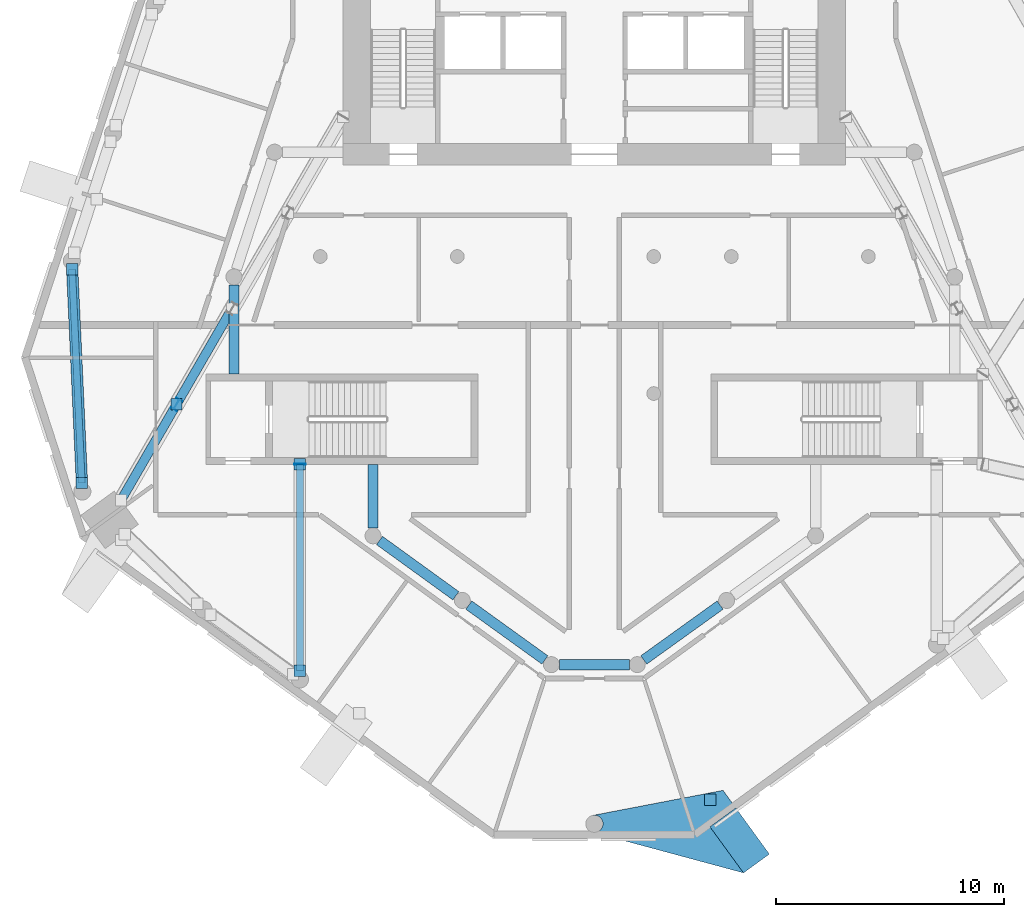
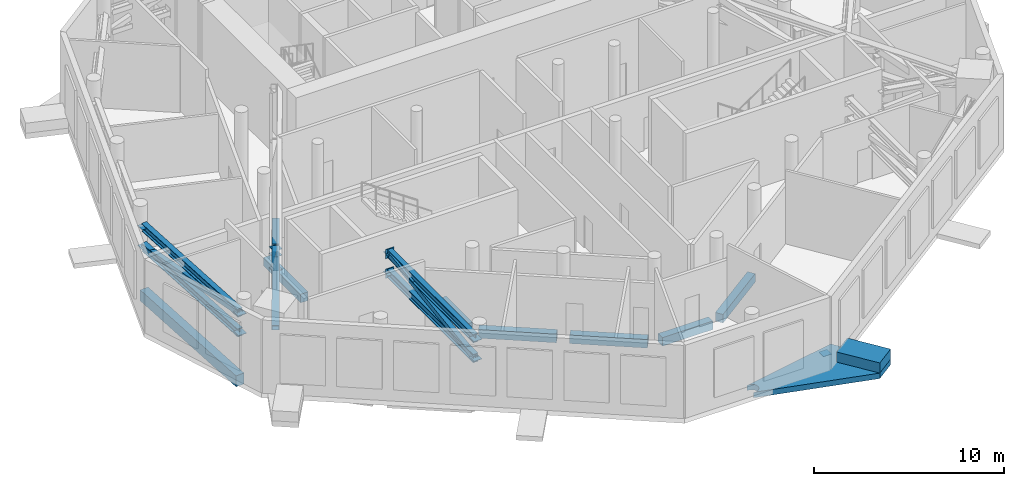
# One storey, part 2 of 17: 14 discrete accessories, 11 members, 7 beams.
"""IFC4 building model written with IfcOpenShell, lengths in metres."""

from ifc_helpers import new_model, si_unit, direction, frame, origin, origin_2d, place, context, subcontext, project, spatial, polyline, rectangle, hollow_rectangle, i_section, outline, extrude, material, layer, layer_set, material_profile, profile_set, type_object, element, aggregate, save


model = new_model("IFC4")

# Units and contexts
model_context = context("Model", 3, precision=1e-05, world=origin(), true_north=direction((0.0, 1.0)))
body_context = subcontext(model_context, "Body", "Model", "MODEL_VIEW")
ifc_project = project(units=[si_unit("LENGTHUNIT", "METRE"), si_unit("AREAUNIT", "SQUARE_METRE"), si_unit("VOLUMEUNIT", "CUBIC_METRE"), si_unit("PLANEANGLEUNIT", "RADIAN"), si_unit("MASSUNIT", "GRAM", prefix="KILO")], contexts=[model_context])

# Site, building, storey
site_placement = place(None, origin())
site = spatial("IfcSite", under=ifc_project, at=site_placement, CompositionType="ELEMENT")
building_placement = place(site_placement, origin())
building = spatial("IfcBuilding", under=site, at=building_placement, Name="White Candle Pilgrim Tower", CompositionType="ELEMENT")
storey_placement = place(building_placement, frame((0.0, 0.0, 191.5)))
storey = spatial("IfcBuildingStorey", under=building, at=storey_placement, Name="L44", CompositionType="ELEMENT", Elevation=191.5)

# Member
ifc_material_1 = material(Name="Steel S355", Category="steel")
ifc_material_profile_1 = material_profile(ifc_material_1, i_section(OverallWidth=0.305908203125, OverallDepth=0.52392578125, WebThickness=0.02099609375, FlangeThickness=0.0400390625, FilletRadius=0.027099609375, at=origin_2d()), Name="HEM 500")
ifc_profile_set_1 = profile_set([ifc_material_profile_1], Name="Steel S355")
member_type_1 = type_object("IfcMemberType", Name="Belt truss chord HEM 500 S355", PredefinedType="CHORD", material=ifc_profile_set_1)
member_1_placement = place(storey_placement, frame((57.110107421875, 48.85498046875, 2.412109375), z_axis=(0.0, 1.0, 0.0), x_axis=(1.0, 0.0, 0.0)))
member_1 = element("IfcMember", 1, at=member_1_placement, inside=storey, type_object=member_type_1, Name="L44 belt truss bottom chord 03", PredefinedType="CHORD", context=body_context, shape_type="SweptSolid", body=[
    extrude(i_section(OverallWidth=0.305908203125, OverallDepth=0.52392578125, WebThickness=0.02099609375, FlangeThickness=0.0400390625, FilletRadius=0.027099609375, at=origin_2d()), origin(), (0.0, 0.0, 1.0), 9.044921875),
])

member_2_placement = place(storey_placement, frame((57.110107421875, 48.85498046875, 3.677978515625), z_axis=(0.0, 1.0, 0.0), x_axis=(1.0, 0.0, 0.0)))
member_2 = element("IfcMember", 2, at=member_2_placement, inside=storey, type_object=member_type_1, Name="L44 belt truss top chord 03", PredefinedType="CHORD", context=body_context, shape_type="SweptSolid", body=[
    extrude(i_section(OverallWidth=0.305908203125, OverallDepth=0.52392578125, WebThickness=0.02099609375, FlangeThickness=0.0400390625, FilletRadius=0.027099609375, at=origin_2d()), origin(), (0.0, 0.0, 1.0), 9.044921875),
])

member_3_placement = place(storey_placement, frame((47.13720703125, 66.435546875, 2.412109375), z_axis=(0.045485743277, -0.998964987954, 0.0), x_axis=(0.997930984009, 0.045438662109, 0.045487131586)))
member_3 = element("IfcMember", 3, at=member_3_placement, inside=storey, type_object=member_type_1, Name="L44 belt truss bottom chord 15", PredefinedType="CHORD", context=body_context, shape_type="SweptSolid", body=[
    extrude(i_section(OverallWidth=0.305908203125, OverallDepth=0.52392578125, WebThickness=0.02099609375, FlangeThickness=0.0400390625, FilletRadius=0.027099609375, at=origin_2d()), origin(), (0.0, 0.0, 1.0), 9.36083984375),
])

member_4_placement = place(storey_placement, frame((47.13720703125, 66.435546875, 3.677978515625), z_axis=(0.045485743277, -0.998964987954, 0.0), x_axis=(0.997930984009, 0.045438662109, 0.045487131586)))
member_4 = element("IfcMember", 4, at=member_4_placement, inside=storey, type_object=member_type_1, Name="L44 belt truss top chord 15", PredefinedType="CHORD", context=body_context, shape_type="SweptSolid", body=[
    extrude(i_section(OverallWidth=0.305908203125, OverallDepth=0.52392578125, WebThickness=0.02099609375, FlangeThickness=0.0400390625, FilletRadius=0.027099609375, at=origin_2d()), origin(), (0.0, 0.0, 1.0), 9.36083984375),
])

# Members
ifc_material_profile_2 = material_profile(ifc_material_1, hollow_rectangle(XDim=0.300048828125, YDim=0.300048828125, WallThickness=0.01611328125, at=origin_2d()), Name="SHS 300x300x16")
ifc_profile_set_2 = profile_set([ifc_material_profile_2], Name="Steel S355")
member_type_2 = type_object("IfcMemberType", Name="Belt truss diagonal SHS 300x300x16 S355", PredefinedType="BRACE", material=ifc_profile_set_2)
member_5_placement = place(storey_placement, frame((57.110107421875, 48.85498046875, 2.412109375), z_axis=(0.0, 0.99034805885, 0.138602750085), x_axis=(-1.0, 0.0, 0.0)))
element("IfcMember", 5, at=member_5_placement, inside=storey, type_object=member_type_2, Name="L44 belt truss diagonal 03", PredefinedType="BRACE", context=body_context, shape_type="SweptSolid", body=[
    extrude(hollow_rectangle(XDim=0.300048828125, YDim=0.300048828125, WallThickness=0.01611328125, at=origin_2d()), origin(), (0.0, 0.0, 1.0), 9.133056640625),
])
member_6_placement = place(storey_placement, frame((47.13720703125, 66.435546875, 2.412109375), z_axis=(0.045075451158, -0.989954088455, 0.134011590743), x_axis=(0.998964987954, 0.045485743277, 0.0)))
element("IfcMember", 6, at=member_6_placement, inside=storey, type_object=member_type_2, Name="L44 belt truss diagonal 15", PredefinedType="BRACE", context=body_context, shape_type="SweptSolid", body=[
    extrude(hollow_rectangle(XDim=0.300048828125, YDim=0.300048828125, WallThickness=0.01611328125, at=origin_2d()), origin(), (0.0, 0.0, 1.0), 9.446044921875),
])

# Member
ifc_material_profile_3 = material_profile(ifc_material_1, hollow_rectangle(XDim=0.39990234375, YDim=0.39990234375, WallThickness=0.02001953125, at=origin_2d()), Name="SHS 400x400x20")
ifc_profile_set_3 = profile_set([ifc_material_profile_3], Name="Steel S355")
member_type_3 = type_object("IfcMemberType", Name="L44 outrigger 1 diagonal SHS 400x400x20 S355", PredefinedType="BRACE", material=ifc_profile_set_3)
member_7_placement = place(storey_placement, frame((54.13671875, 64.7236328125, 2.556884765625), z_axis=(-0.471717853032, -0.814897327235, 0.336785708123), x_axis=(0.865456129808, -0.500984717708, 0.0)))
member_7 = element("IfcMember", 7, at=member_7_placement, inside=storey, type_object=member_type_3, Name="L44 outrigger 1 diagonal 3", PredefinedType="BRACE", context=body_context, shape_type="SweptSolid", body=[
    extrude(hollow_rectangle(XDim=0.39990234375, YDim=0.39990234375, WallThickness=0.02001953125, at=origin_2d()), origin(), (0.0, 0.0, 1.0), 5.15478515625),
])

member_8_placement = place(storey_placement, frame((51.705078125, 60.52294921875, 4.29296875), z_axis=(-0.471754674314, -0.814879121198, -0.336778183822), x_axis=(0.865434320592, -0.501022391457, 0.0)))
element("IfcMember", 8, at=member_8_placement, inside=storey, type_object=member_type_3, Name="L44 outrigger 1 diagonal 4", PredefinedType="BRACE", context=body_context, shape_type="SweptSolid", body=[
    extrude(hollow_rectangle(XDim=0.39990234375, YDim=0.39990234375, WallThickness=0.02001953125, at=origin_2d()), origin(), (0.0, 0.0, 1.0), 5.155029296875),
])

ifc_material_profile_4 = material_profile(ifc_material_1, i_section(OverallWidth=0.300048828125, OverallDepth=0.5, WebThickness=0.014404296875, FlangeThickness=0.028076171875, FilletRadius=0.027099609375, at=origin_2d()), Name="HEB 500")
ifc_profile_set_4 = profile_set([ifc_material_profile_4], Name="Steel S355")
member_type_4 = type_object("IfcMemberType", Name="L44 outrigger 1 post HEB 500 S355", PredefinedType="POST", material=ifc_profile_set_4)
member_9_placement = place(storey_placement, frame((51.705078125, 60.52294921875, 2.964111328125), z_axis=(0.0, 0.0, 1.0), x_axis=(0.865453907481, -0.500988556782, 0.0)))
member_9 = element("IfcMember", 9, at=member_9_placement, inside=storey, type_object=member_type_4, Name="L44 outrigger 1 post 3", PredefinedType="POST", context=body_context, shape_type="SweptSolid", body=[
    extrude(i_section(OverallWidth=0.300048828125, OverallDepth=0.5, WebThickness=0.014404296875, FlangeThickness=0.028076171875, FilletRadius=0.027099609375, at=origin_2d()), origin(), (0.0, 0.0, 1.0), 0.921875),
])

ifc_material_2 = material(Name="Concrete C70/85, white", Category="concrete")
ifc_layer_1 = layer(ifc_material_2, 0.300048828125)
ifc_layer_set_1 = layer_set([ifc_layer_1], Name="Node tie strut 3450x1400x300 C70/85")
member_type_5 = type_object("IfcMemberType", Name="Node tie strut 3450x1400x300 C70/85", PredefinedType="STRUT", material=ifc_layer_set_1)
member_10_placement = place(storey_placement, frame((0.0, 0.0, -0.35009765625)))
member_10 = element("IfcMember", 10, at=member_10_placement, inside=storey, type_object=member_type_5, Name="Node tie strut NC145", PredefinedType="STRUT", context=body_context, shape_type="SweptSolid", body=[
    extrude(outline(polyline([(76.530517578125, 40.00927734375), (77.6630859375, 40.83203125), (75.63525390625, 43.623291015625), (69.9267578125, 42.52783203125), (69.951171875, 42.53173828125), (69.9755859375, 42.5341796875), (70.0, 42.534912109375), (70.0244140625, 42.5341796875), (70.048828125, 42.53173828125), (70.0732421875, 42.52783203125), (70.09716796875, 42.522216796875), (70.12060546875, 42.51513671875), (70.1435546875, 42.506591796875), (70.166015625, 42.496337890625), (70.1875, 42.48486328125), (70.208251953125, 42.4716796875), (70.228271484375, 42.45751953125), (70.247314453125, 42.44189453125), (70.26513671875, 42.42529296875), (70.281982421875, 42.4072265625), (70.297607421875, 42.38818359375), (70.311767578125, 42.368408203125), (70.32470703125, 42.347412109375), (70.336181640625, 42.325927734375), (70.346435546875, 42.303466796875), (70.35498046875, 42.280517578125), (70.3623046875, 42.257080078125), (70.367919921875, 42.233154296875), (70.371826171875, 42.208984375), (70.374267578125, 42.1845703125), (70.375, 42.159912109375), (70.374267578125, 42.135498046875), (70.371826171875, 42.111083984375), (70.367919921875, 42.0869140625), (70.3623046875, 42.06298828125), (70.35498046875, 42.03955078125), (70.346435546875, 42.0166015625), (70.336181640625, 41.994140625), (70.32470703125, 41.972412109375), (70.311767578125, 41.95166015625), (70.297607421875, 41.931640625), (70.281982421875, 41.91259765625), (70.26513671875, 41.894775390625), (70.247314453125, 41.878173828125), (70.228271484375, 41.862548828125), (70.208251953125, 41.84814453125), (70.1875, 41.835205078125), (70.166015625, 41.82373046875), (70.1435546875, 41.8134765625), (70.12060546875, 41.804931640625), (70.09716796875, 41.7978515625), (70.0732421875, 41.792236328125), (70.048828125, 41.7880859375), (70.0244140625, 41.785888671875), (70.0, 41.784912109375), (69.9755859375, 41.785888671875), (69.951171875, 41.7880859375), (69.9267578125, 41.792236328125), (69.90283203125, 41.7978515625), (76.530517578125, 40.00927734375)])), origin(), (0.0, 0.0, 1.0), 0.35009765625),
])

member_11_placement = place(storey_placement, origin())
element("IfcMember", 11, at=member_11_placement, inside=storey, type_object=member_type_5, Name="Node tie strut NC145", PredefinedType="STRUT", context=body_context, shape_type="SweptSolid", body=[
    extrude(outline(polyline([(76.530517578125, 40.00927734375), (77.6630859375, 40.83203125), (76.193603515625, 42.8544921875), (75.06103515625, 42.03173828125), (76.530517578125, 40.00927734375)])), origin(), (0.0, 0.0, 1.0), 0.64990234375),
])

# Beams
ifc_material_3 = material(Name="Concrete C50/60", Category="concrete")
ifc_material_profile_5 = material_profile(ifc_material_3, rectangle(XDim=0.449951171875, YDim=0.550048828125, at=origin_2d()), Name="RC-BM 450x550")
ifc_profile_set_5 = profile_set([ifc_material_profile_5], Name="Concrete C50/60")
beam_type_1 = type_object("IfcBeamType", Name="Ring beam RC-BM 450x550 C50/60", PredefinedType="BEAM", material=ifc_profile_set_5)
beam_1_placement = place(storey_placement, frame((60.593505859375, 54.56494140625, -0.574951171875), z_axis=(0.810043858436, -0.586369292691, 0.0), x_axis=(0.586369292691, 0.810043858436, 0.0)))
element("IfcBeam", 12, at=beam_1_placement, inside=storey, type_object=beam_type_1, Name="L44 ring beam R01", PredefinedType="BEAM", context=body_context, shape_type="SweptSolid", body=[
    extrude(rectangle(XDim=0.449951171875, YDim=0.550048828125, at=origin_2d()), origin(), (0.0, 0.0, 1.0), 4.126953125),
])
beam_2_placement = place(storey_placement, frame((64.50390625, 51.735595703125, -0.574951171875), z_axis=(0.811316688041, -0.584606903574, 0.0), x_axis=(0.584606903574, 0.811316688041, 0.0)))
element("IfcBeam", 13, at=beam_2_placement, inside=storey, type_object=beam_type_1, Name="L44 ring beam R02", PredefinedType="BEAM", context=body_context, shape_type="SweptSolid", body=[
    extrude(rectangle(XDim=0.449951171875, YDim=0.550048828125, at=origin_2d()), origin(), (0.0, 0.0, 1.0), 4.107177734375),
])
beam_3_placement = place(storey_placement, frame((68.469970703125, 49.1298828125, -0.574951171875), z_axis=(1.0, 0.0, 0.0), x_axis=(0.0, 1.0, 0.0)))
element("IfcBeam", 14, at=beam_3_placement, inside=storey, type_object=beam_type_1, Name="L44 ring beam R03", PredefinedType="BEAM", context=body_context, shape_type="SweptSolid", body=[
    extrude(rectangle(XDim=0.449951171875, YDim=0.550048828125, at=origin_2d()), origin(), (0.0, 0.0, 1.0), 3.06005859375),
])
beam_4_placement = place(storey_placement, frame((72.1640625, 49.333984375, -0.574951171875), z_axis=(0.812022399974, 0.583626269063, 0.0), x_axis=(-0.583626269063, 0.812022399974, 0.0)))
element("IfcBeam", 15, at=beam_4_placement, inside=storey, type_object=beam_type_1, Name="L44 ring beam R04", PredefinedType="BEAM", context=body_context, shape_type="SweptSolid", body=[
    extrude(rectangle(XDim=0.449951171875, YDim=0.550048828125, at=origin_2d()), origin(), (0.0, 0.0, 1.0), 4.115478515625),
])
beam_5_placement = place(storey_placement, frame((54.219970703125, 65.760009765625, -0.574951171875), z_axis=(0.0, -1.0, 0.0), x_axis=(1.0, 0.0, 0.0)))
element("IfcBeam", 16, at=beam_5_placement, inside=storey, type_object=beam_type_1, Name="L44 ring beam R12", PredefinedType="BEAM", context=body_context, shape_type="SweptSolid", body=[
    extrude(rectangle(XDim=0.449951171875, YDim=0.550048828125, at=origin_2d()), origin(), (0.0, 0.0, 1.0), 3.909912109375),
])
beam_6_placement = place(storey_placement, frame((60.31005859375, 55.1201171875, -0.574951171875), z_axis=(0.0, 1.0, 0.0), x_axis=(-1.0, 0.0, 0.0)))
element("IfcBeam", 17, at=beam_6_placement, inside=storey, type_object=beam_type_1, Name="L44 ring beam R13", PredefinedType="BEAM", context=body_context, shape_type="SweptSolid", body=[
    extrude(rectangle(XDim=0.449951171875, YDim=0.550048828125, at=origin_2d()), origin(), (0.0, 0.0, 1.0), 2.77978515625),
])
ifc_material_profile_6 = material_profile(ifc_material_3, rectangle(XDim=0.5, YDim=0.699951171875, at=origin_2d()), Name="RC-BM 500x700")
ifc_profile_set_6 = profile_set([ifc_material_profile_6], Name="Concrete C50/60")
beam_type_2 = type_object("IfcBeamType", Name="Spandrel beam RC-BM 500x700 C50/60", PredefinedType="BEAM", material=ifc_profile_set_6)
beam_7_placement = place(storey_placement, frame((47.13720703125, 66.435546875, -0.64990234375), z_axis=(0.045485743277, -0.998964987954, 0.0), x_axis=(0.998964987954, 0.045485743277, 0.0)))
element("IfcBeam", 18, at=beam_7_placement, inside=storey, type_object=beam_type_2, Name="L44 spandrel beam T15", PredefinedType="BEAM", context=body_context, shape_type="SweptSolid", body=[
    extrude(rectangle(XDim=0.5, YDim=0.699951171875, at=origin_2d()), origin(), (0.0, 0.0, 1.0), 9.36083984375),
])

# Discrete accessory
ifc_layer_2 = layer(ifc_material_1, 0.030029296875)
ifc_layer_set_2 = layer_set([ifc_layer_2], Name="Cast-in plate 500x600x30 S355")
discrete_accessory_type_1 = type_object("IfcDiscreteAccessoryType", Name="Cast-in plate 500x600x30 S355", PredefinedType="ANCHORPLATE", material=ifc_layer_set_2)
discrete_accessory_1_placement = place(storey_placement, frame((57.110107421875, 57.89990234375, 2.112060546875), z_axis=(0.0, 0.0, 1.0), x_axis=(0.0, -1.0, 0.0)))
discrete_accessory_1 = element("IfcDiscreteAccessory", 19, at=discrete_accessory_1_placement, type_object=discrete_accessory_type_1, Name="Cast-in plate 0013", PredefinedType="ANCHORPLATE", context=body_context, shape_type="SweptSolid", body=[
    extrude(rectangle(XDim=0.030029296875, YDim=0.5, at=origin_2d()), origin(), (0.0, 0.0, 1.0), 0.60009765625),
])

discrete_accessory_2_placement = place(storey_placement, frame((57.110107421875, 57.89990234375, 3.3779296875), z_axis=(0.0, 0.0, 1.0), x_axis=(0.0, -1.0, 0.0)))
discrete_accessory_2 = element("IfcDiscreteAccessory", 20, at=discrete_accessory_2_placement, type_object=discrete_accessory_type_1, Name="Cast-in plate 0014", PredefinedType="ANCHORPLATE", context=body_context, shape_type="SweptSolid", body=[
    extrude(rectangle(XDim=0.030029296875, YDim=0.5, at=origin_2d()), origin(), (0.0, 0.0, 1.0), 0.60009765625),
])

ifc_layer_3 = layer(ifc_material_1, 0.02490234375)
ifc_layer_set_3 = layer_set([ifc_layer_3], Name="Gusset plate 500x500x25 S355")
discrete_accessory_type_2 = type_object("IfcDiscreteAccessoryType", Name="Gusset plate 500x500x25 S355", PredefinedType="BRACKET", material=ifc_layer_set_3)
discrete_accessory_3_placement = place(storey_placement, frame((75.069091796875, 43.2119140625, -0.162353515625), z_axis=(0.0, 0.0, 1.0), x_axis=(1.0, 0.0, 0.0)))
discrete_accessory_3 = element("IfcDiscreteAccessory", 21, at=discrete_accessory_3_placement, type_object=discrete_accessory_type_2, Name="Gusset plate 0526", PredefinedType="BRACKET", context=body_context, shape_type="SweptSolid", body=[
    extrude(rectangle(XDim=0.5, YDim=0.5, at=origin_2d()), origin(), (0.0, 0.0, 1.0), 0.02490234375),
])

aggregate(member_10, [discrete_accessory_3])

discrete_accessory_4_placement = place(storey_placement, frame((57.110107421875, 48.85498046875, 2.399658203125), z_axis=(0.0, 0.0, 1.0), x_axis=(1.0, 0.0, 0.0)))
discrete_accessory_4 = element("IfcDiscreteAccessory", 22, at=discrete_accessory_4_placement, type_object=discrete_accessory_type_2, Name="Gusset plate 0786", PredefinedType="BRACKET", context=body_context, shape_type="SweptSolid", body=[
    extrude(rectangle(XDim=0.5, YDim=0.5, at=origin_2d()), origin(), (0.0, 0.0, 1.0), 0.02490234375),
])

discrete_accessory_5_placement = place(storey_placement, frame((57.110107421875, 57.89990234375, 2.399658203125), z_axis=(0.0, 0.0, 1.0), x_axis=(1.0, 0.0, 0.0)))
discrete_accessory_5 = element("IfcDiscreteAccessory", 23, at=discrete_accessory_5_placement, type_object=discrete_accessory_type_2, Name="Gusset plate 0787", PredefinedType="BRACKET", context=body_context, shape_type="SweptSolid", body=[
    extrude(rectangle(XDim=0.5, YDim=0.5, at=origin_2d()), origin(), (0.0, 0.0, 1.0), 0.02490234375),
])

aggregate(member_1, [discrete_accessory_4, discrete_accessory_5, discrete_accessory_1])

discrete_accessory_6_placement = place(storey_placement, frame((57.110107421875, 48.85498046875, 3.66552734375), z_axis=(0.0, 0.0, 1.0), x_axis=(1.0, 0.0, 0.0)))
discrete_accessory_6 = element("IfcDiscreteAccessory", 24, at=discrete_accessory_6_placement, type_object=discrete_accessory_type_2, Name="Gusset plate 0788", PredefinedType="BRACKET", context=body_context, shape_type="SweptSolid", body=[
    extrude(rectangle(XDim=0.5, YDim=0.5, at=origin_2d()), origin(), (0.0, 0.0, 1.0), 0.02490234375),
])

discrete_accessory_7_placement = place(storey_placement, frame((57.110107421875, 57.89990234375, 3.66552734375), z_axis=(0.0, 0.0, 1.0), x_axis=(1.0, 0.0, 0.0)))
discrete_accessory_7 = element("IfcDiscreteAccessory", 25, at=discrete_accessory_7_placement, type_object=discrete_accessory_type_2, Name="Gusset plate 0789", PredefinedType="BRACKET", context=body_context, shape_type="SweptSolid", body=[
    extrude(rectangle(XDim=0.5, YDim=0.5, at=origin_2d()), origin(), (0.0, 0.0, 1.0), 0.02490234375),
])

aggregate(member_2, [discrete_accessory_6, discrete_accessory_7, discrete_accessory_2])

discrete_accessory_8_placement = place(storey_placement, frame((47.13720703125, 66.435546875, 2.399658203125), z_axis=(0.0, 0.0, 1.0), x_axis=(1.0, 0.0, 0.0)))
discrete_accessory_8 = element("IfcDiscreteAccessory", 26, at=discrete_accessory_8_placement, type_object=discrete_accessory_type_2, Name="Gusset plate 0834", PredefinedType="BRACKET", context=body_context, shape_type="SweptSolid", body=[
    extrude(rectangle(XDim=0.5, YDim=0.5, at=origin_2d()), origin(), (0.0, 0.0, 1.0), 0.02490234375),
])

discrete_accessory_9_placement = place(storey_placement, frame((47.56298828125, 57.08447265625, 2.399658203125), z_axis=(0.0, 0.0, 1.0), x_axis=(1.0, 0.0, 0.0)))
discrete_accessory_9 = element("IfcDiscreteAccessory", 27, at=discrete_accessory_9_placement, type_object=discrete_accessory_type_2, Name="Gusset plate 0835", PredefinedType="BRACKET", context=body_context, shape_type="SweptSolid", body=[
    extrude(rectangle(XDim=0.5, YDim=0.5, at=origin_2d()), origin(), (0.0, 0.0, 1.0), 0.02490234375),
])

aggregate(member_3, [discrete_accessory_8, discrete_accessory_9])

discrete_accessory_10_placement = place(storey_placement, frame((47.13720703125, 66.435546875, 3.66552734375), z_axis=(0.0, 0.0, 1.0), x_axis=(1.0, 0.0, 0.0)))
discrete_accessory_10 = element("IfcDiscreteAccessory", 28, at=discrete_accessory_10_placement, type_object=discrete_accessory_type_2, Name="Gusset plate 0836", PredefinedType="BRACKET", context=body_context, shape_type="SweptSolid", body=[
    extrude(rectangle(XDim=0.5, YDim=0.5, at=origin_2d()), origin(), (0.0, 0.0, 1.0), 0.02490234375),
])

discrete_accessory_11_placement = place(storey_placement, frame((47.56298828125, 57.08447265625, 3.66552734375), z_axis=(0.0, 0.0, 1.0), x_axis=(1.0, 0.0, 0.0)))
discrete_accessory_11 = element("IfcDiscreteAccessory", 29, at=discrete_accessory_11_placement, type_object=discrete_accessory_type_2, Name="Gusset plate 0837", PredefinedType="BRACKET", context=body_context, shape_type="SweptSolid", body=[
    extrude(rectangle(XDim=0.5, YDim=0.5, at=origin_2d()), origin(), (0.0, 0.0, 1.0), 0.02490234375),
])

aggregate(member_4, [discrete_accessory_10, discrete_accessory_11])

discrete_accessory_12_placement = place(storey_placement, frame((51.705078125, 60.52294921875, 4.280517578125), z_axis=(0.0, 0.0, 1.0), x_axis=(1.0, 0.0, 0.0)))
discrete_accessory_12 = element("IfcDiscreteAccessory", 30, at=discrete_accessory_12_placement, type_object=discrete_accessory_type_2, Name="Gusset plate 0964", PredefinedType="BRACKET", context=body_context, shape_type="SweptSolid", body=[
    extrude(rectangle(XDim=0.5, YDim=0.5, at=origin_2d()), origin(), (0.0, 0.0, 1.0), 0.02490234375),
])

aggregate(member_7, [discrete_accessory_12])

discrete_accessory_13_placement = place(storey_placement, frame((51.705078125, 60.52294921875, 2.95166015625), z_axis=(0.0, 0.0, 1.0), x_axis=(1.0, 0.0, 0.0)))
discrete_accessory_13 = element("IfcDiscreteAccessory", 31, at=discrete_accessory_13_placement, type_object=discrete_accessory_type_2, Name="Gusset plate 0969", PredefinedType="BRACKET", context=body_context, shape_type="SweptSolid", body=[
    extrude(rectangle(XDim=0.5, YDim=0.5, at=origin_2d()), origin(), (0.0, 0.0, 1.0), 0.02490234375),
])

discrete_accessory_14_placement = place(storey_placement, frame((51.705078125, 60.52294921875, 3.87353515625), z_axis=(0.0, 0.0, 1.0), x_axis=(1.0, 0.0, 0.0)))
discrete_accessory_14 = element("IfcDiscreteAccessory", 32, at=discrete_accessory_14_placement, type_object=discrete_accessory_type_2, Name="Gusset plate 0970", PredefinedType="BRACKET", context=body_context, shape_type="SweptSolid", body=[
    extrude(rectangle(XDim=0.5, YDim=0.5, at=origin_2d()), origin(), (0.0, 0.0, 1.0), 0.02490234375),
])

aggregate(member_9, [discrete_accessory_13, discrete_accessory_14])

save(model, "model.ifc")
